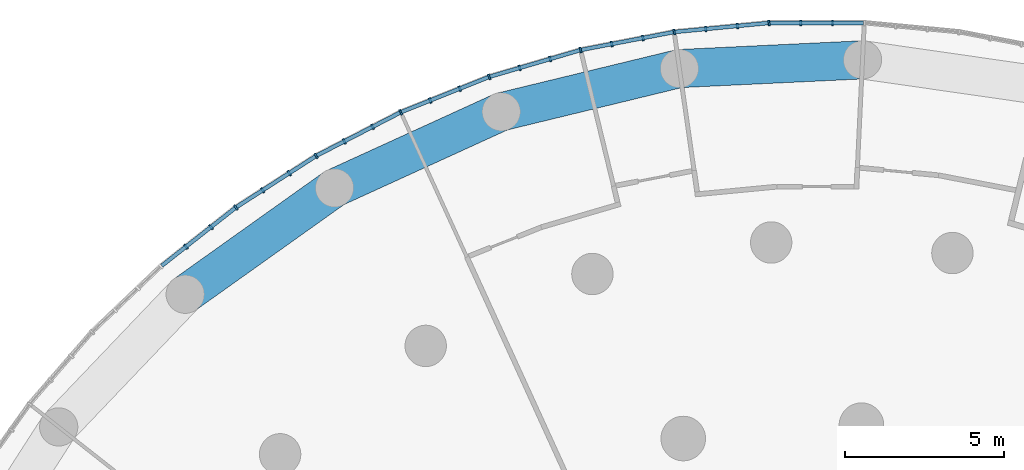
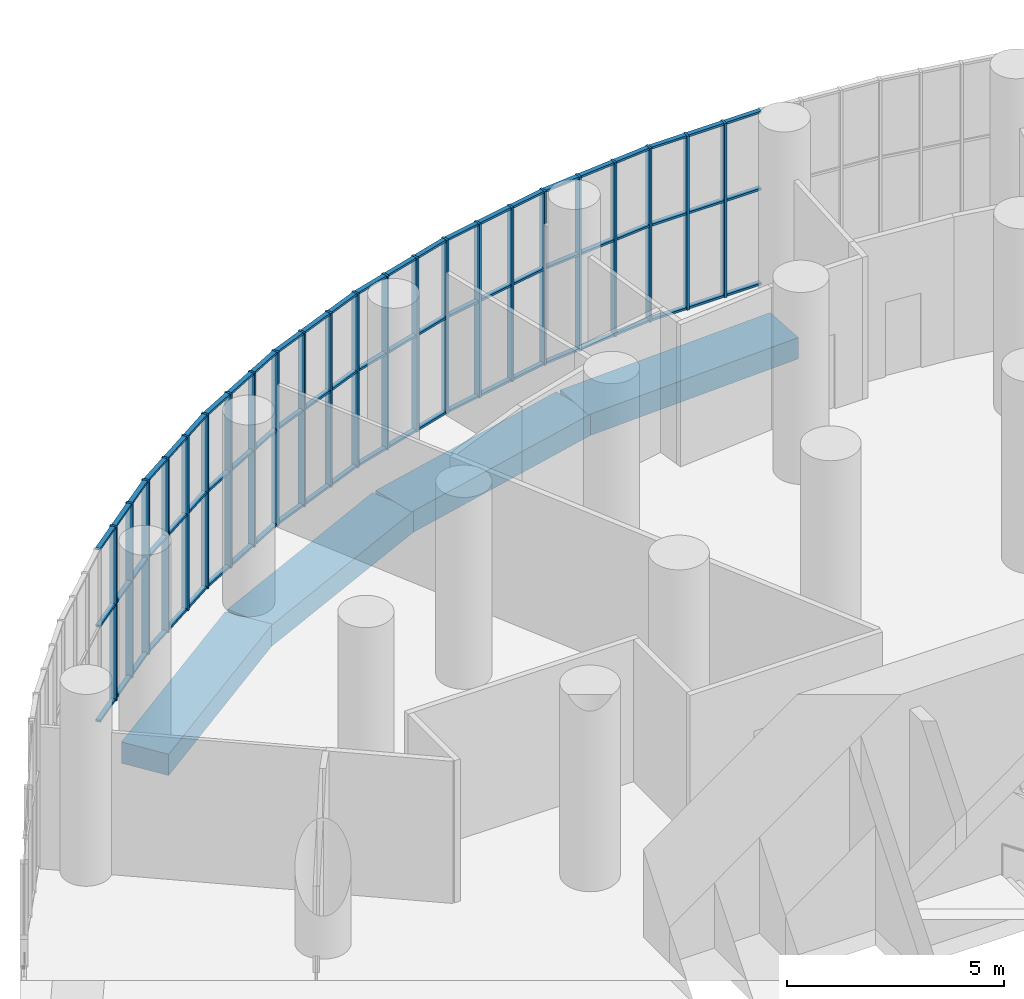
# One storey, part 8 of 27: 47 members, 4 beams, 8 elements without a shape of their own.
"""IFC4 building model written with IfcOpenShell, lengths in metres."""

from ifc_helpers import new_model, si_unit, direction, frame, origin, origin_2d, place, context, subcontext, project, spatial, rectangle, extrude, material, layer, layer_set, material_profile, profile_set, type_object, element, aggregate, save


model = new_model("IFC4")

# Units and contexts
model_context = context("Model", 3, precision=1e-05, world=origin(), true_north=direction((0.0, 1.0)))
body_context = subcontext(model_context, "Body", "Model", "MODEL_VIEW")
ifc_project = project(units=[si_unit("LENGTHUNIT", "METRE"), si_unit("AREAUNIT", "SQUARE_METRE"), si_unit("VOLUMEUNIT", "CUBIC_METRE"), si_unit("PLANEANGLEUNIT", "RADIAN"), si_unit("MASSUNIT", "GRAM", prefix="KILO")], contexts=[model_context])

# Site, building, storey
site_placement = place(None, origin())
site = spatial("IfcSite", under=ifc_project, at=site_placement, CompositionType="ELEMENT")
building_placement = place(site_placement, origin())
building = spatial("IfcBuilding", under=site, at=building_placement, Name="Tracery Tower", CompositionType="ELEMENT")
storey_placement = place(building_placement, frame((0.0, 0.0, 114.60009765625)))
storey = spatial("IfcBuildingStorey", under=building, at=storey_placement, Name="L29", CompositionType="ELEMENT", Elevation=114.60009765625)

# Beams
ifc_material_1 = material(Name="Concrete C60/75", Category="concrete")
ifc_material_profile_1 = material_profile(ifc_material_1, rectangle(XDim=1.199951171875, YDim=0.60009765625, at=origin_2d()), Name="RC 1200x600")
ifc_profile_set_1 = profile_set([ifc_material_profile_1], Name="Concrete C60/75")
beam_type = type_object("IfcBeamType", Name="Perimeter band beam 1200x600", PredefinedType="BEAM", material=ifc_profile_set_1)
beam_1_placement = place(storey_placement, frame((1.4404296875, 30.240234375, -0.75), z_axis=(-0.998866793759, -0.047593364303, 0.0), x_axis=(0.047593364303, -0.998866793759, 0.0)))
element("IfcBeam", 1, at=beam_1_placement, inside=storey, type_object=beam_type, Name="Perimeter beam 0.08 under L29", PredefinedType="BEAM", context=body_context, shape_type="SweptSolid", body=[
    extrude(rectangle(XDim=1.199951171875, YDim=0.60009765625, at=origin_2d()), origin(), (0.0, 0.0, 1.0), 5.755615234375),
])
beam_2_placement = place(storey_placement, frame((-4.30859375, 29.96630859375, -0.75), z_axis=(-0.971820371509, -0.235722645328, 0.0), x_axis=(0.235722645328, -0.971820371509, 0.0)))
element("IfcBeam", 2, at=beam_2_placement, inside=storey, type_object=beam_type, Name="Perimeter beam 0.09 under L29", PredefinedType="BEAM", context=body_context, shape_type="SweptSolid", body=[
    extrude(rectangle(XDim=1.199951171875, YDim=0.60009765625, at=origin_2d()), origin(), (0.0, 0.0, 1.0), 5.75537109375),
])
for number, where, z_axis, x_axis, name in (
    (3, (-9.90185546875, 28.609619140625, -0.75), (-0.909618316865, -0.415444963411, 0.0), (0.415444963411, -0.909618316865, 0.0), "Perimeter beam 0.10 under L29"),
    (4, (-15.13720703125, 26.218505859375, -0.75), (-0.8145780864, -0.580053912285, 0.0), (0.580053912285, -0.8145780864, 0.0), "Perimeter beam 0.11 under L29"),
):
    element("IfcBeam", number, at=place(storey_placement, frame(where, z_axis=z_axis, x_axis=x_axis)), inside=storey, type_object=beam_type, Name=name, PredefinedType="BEAM", context=body_context, shape_type="SweptSolid", body=[
        extrude(rectangle(XDim=1.199951171875, YDim=0.60009765625, at=origin_2d()), origin(), (0.0, 0.0, 1.0), 5.755615234375),
    ])

# Curtain wall, members
ifc_material_2 = material(Name="Aluminium curtain wall with tinted glass", Category="aluminium")
ifc_layer = layer(ifc_material_2, 0.179931640625)
ifc_layer_set = layer_set([ifc_layer], Name="Sky lounge 1 tracery curtain wall")
curtain_wall_type = type_object("IfcCurtainWallType", Name="Sky lounge 1 tracery curtain wall", PredefinedType="NOTDEFINED", material=ifc_layer_set)
curtain_wall_1_placement = place(storey_placement, origin())
curtain_wall_1 = element("IfcCurtainWall", 5, at=curtain_wall_1_placement, inside=storey, type_object=curtain_wall_type, Name="Sky lounge 1 curtain wall run 17", PredefinedType="NOTDEFINED")
ifc_material_3 = material(Name="Aluminium, bronze anodised", Category="aluminium")
ifc_material_profile_2 = material_profile(ifc_material_3, rectangle(XDim=0.179931640625, YDim=0.06005859375, at=origin_2d()), Name="AL 60x180")
ifc_profile_set_2 = profile_set([ifc_material_profile_2], Name="Aluminium, bronze anodised")
member_type_1 = type_object("IfcMemberType", Name="Sky lounge 1 mullion 60 x 180", PredefinedType="MULLION", material=ifc_profile_set_2)
member_1_placement = place(storey_placement, frame((0.49853515625, 31.39892578125, 0.0), z_axis=(0.0, 0.0, 1.0), x_axis=(0.0, -1.0, 0.0)))
member_1 = element("IfcMember", 6, at=member_1_placement, type_object=member_type_1, Name="Sky lounge 1 curtain wall run 17 mullion 2", PredefinedType="MULLION", context=body_context, shape_type="SweptSolid", body=[
    extrude(rectangle(XDim=0.179931640625, YDim=0.06005859375, at=origin_2d()), origin(), (0.0, 0.0, 1.0), 4.89990234375),
])
member_2_placement = place(storey_placement, frame((-0.49853515625, 31.39892578125, 0.0), z_axis=(0.0, 0.0, 1.0), x_axis=(0.0, -1.0, 0.0)))
member_2 = element("IfcMember", 7, at=member_2_placement, type_object=member_type_1, Name="Sky lounge 1 curtain wall run 17 mullion 3", PredefinedType="MULLION", context=body_context, shape_type="SweptSolid", body=[
    extrude(rectangle(XDim=0.179931640625, YDim=0.06005859375, at=origin_2d()), origin(), (0.0, 0.0, 1.0), 4.89990234375),
])

curtain_wall_2_placement = place(storey_placement, origin())
curtain_wall_2 = element("IfcCurtainWall", 8, at=curtain_wall_2_placement, inside=storey, type_object=curtain_wall_type, Name="Sky lounge 1 curtain wall run 18", PredefinedType="NOTDEFINED")
member_3_placement = place(storey_placement, frame((-1.49560546875, 31.39892578125, 0.0), z_axis=(0.0, 0.0, 1.0), x_axis=(0.095056043312, -0.995471922572, 0.0)))
member_3 = element("IfcMember", 9, at=member_3_placement, type_object=member_type_1, Name="Sky lounge 1 curtain wall run 18 mullion 1", PredefinedType="MULLION", context=body_context, shape_type="SweptSolid", body=[
    extrude(rectangle(XDim=0.179931640625, YDim=0.06005859375, at=origin_2d()), origin(), (0.0, 0.0, 1.0), 4.89990234375),
])
member_4_placement = place(storey_placement, frame((-2.48828125, 31.30419921875, 0.0), z_axis=(0.0, 0.0, 1.0), x_axis=(0.095056043312, -0.995471922572, 0.0)))
member_4 = element("IfcMember", 10, at=member_4_placement, type_object=member_type_1, Name="Sky lounge 1 curtain wall run 18 mullion 2", PredefinedType="MULLION", context=body_context, shape_type="SweptSolid", body=[
    extrude(rectangle(XDim=0.179931640625, YDim=0.06005859375, at=origin_2d()), origin(), (0.0, 0.0, 1.0), 4.89990234375),
])
member_5_placement = place(storey_placement, frame((-3.48095703125, 31.209228515625, 0.0), z_axis=(0.0, 0.0, 1.0), x_axis=(0.095056043312, -0.995471922572, 0.0)))
member_5 = element("IfcMember", 11, at=member_5_placement, type_object=member_type_1, Name="Sky lounge 1 curtain wall run 18 mullion 3", PredefinedType="MULLION", context=body_context, shape_type="SweptSolid", body=[
    extrude(rectangle(XDim=0.179931640625, YDim=0.06005859375, at=origin_2d()), origin(), (0.0, 0.0, 1.0), 4.89990234375),
])

curtain_wall_3_placement = place(storey_placement, origin())
curtain_wall_3 = element("IfcCurtainWall", 12, at=curtain_wall_3_placement, inside=storey, type_object=curtain_wall_type, Name="Sky lounge 1 curtain wall run 19", PredefinedType="NOTDEFINED")
member_6_placement = place(storey_placement, frame((-4.4736328125, 31.114501953125, 0.0), z_axis=(0.0, 0.0, 1.0), x_axis=(0.189251244359, -0.981928697263, 0.0)))
member_6 = element("IfcMember", 13, at=member_6_placement, type_object=member_type_1, Name="Sky lounge 1 curtain wall run 19 mullion 1", PredefinedType="MULLION", context=body_context, shape_type="SweptSolid", body=[
    extrude(rectangle(XDim=0.179931640625, YDim=0.06005859375, at=origin_2d()), origin(), (0.0, 0.0, 1.0), 4.89990234375),
])
member_7_placement = place(storey_placement, frame((-5.45263671875, 30.92578125, 0.0), z_axis=(0.0, 0.0, 1.0), x_axis=(0.189251244359, -0.981928697263, 0.0)))
member_7 = element("IfcMember", 14, at=member_7_placement, type_object=member_type_1, Name="Sky lounge 1 curtain wall run 19 mullion 2", PredefinedType="MULLION", context=body_context, shape_type="SweptSolid", body=[
    extrude(rectangle(XDim=0.179931640625, YDim=0.06005859375, at=origin_2d()), origin(), (0.0, 0.0, 1.0), 4.89990234375),
])
member_8_placement = place(storey_placement, frame((-6.431884765625, 30.737060546875, 0.0), z_axis=(0.0, 0.0, 1.0), x_axis=(0.189251244359, -0.981928697263, 0.0)))
member_8 = element("IfcMember", 15, at=member_8_placement, type_object=member_type_1, Name="Sky lounge 1 curtain wall run 19 mullion 3", PredefinedType="MULLION", context=body_context, shape_type="SweptSolid", body=[
    extrude(rectangle(XDim=0.179931640625, YDim=0.06005859375, at=origin_2d()), origin(), (0.0, 0.0, 1.0), 4.89990234375),
])

curtain_wall_4_placement = place(storey_placement, origin())
curtain_wall_4 = element("IfcCurtainWall", 16, at=curtain_wall_4_placement, inside=storey, type_object=curtain_wall_type, Name="Sky lounge 1 curtain wall run 20", PredefinedType="NOTDEFINED")
member_9_placement = place(storey_placement, frame((-7.410888671875, 30.54833984375, 0.0), z_axis=(0.0, 0.0, 1.0), x_axis=(0.281732556848, -0.959492973613, 0.0)))
member_9 = element("IfcMember", 17, at=member_9_placement, type_object=member_type_1, Name="Sky lounge 1 curtain wall run 20 mullion 1", PredefinedType="MULLION", context=body_context, shape_type="SweptSolid", body=[
    extrude(rectangle(XDim=0.179931640625, YDim=0.06005859375, at=origin_2d()), origin(), (0.0, 0.0, 1.0), 4.89990234375),
])
member_10_placement = place(storey_placement, frame((-8.36767578125, 30.267578125, 0.0), z_axis=(0.0, 0.0, 1.0), x_axis=(0.281732556848, -0.959492973613, 0.0)))
member_10 = element("IfcMember", 18, at=member_10_placement, type_object=member_type_1, Name="Sky lounge 1 curtain wall run 20 mullion 2", PredefinedType="MULLION", context=body_context, shape_type="SweptSolid", body=[
    extrude(rectangle(XDim=0.179931640625, YDim=0.06005859375, at=origin_2d()), origin(), (0.0, 0.0, 1.0), 4.89990234375),
])
member_11_placement = place(storey_placement, frame((-9.324462890625, 29.986572265625, 0.0), z_axis=(0.0, 0.0, 1.0), x_axis=(0.281732556848, -0.959492973613, 0.0)))
member_11 = element("IfcMember", 19, at=member_11_placement, type_object=member_type_1, Name="Sky lounge 1 curtain wall run 20 mullion 3", PredefinedType="MULLION", context=body_context, shape_type="SweptSolid", body=[
    extrude(rectangle(XDim=0.179931640625, YDim=0.06005859375, at=origin_2d()), origin(), (0.0, 0.0, 1.0), 4.89990234375),
])

curtain_wall_5_placement = place(storey_placement, origin())
curtain_wall_5 = element("IfcCurtainWall", 20, at=curtain_wall_5_placement, inside=storey, type_object=curtain_wall_type, Name="Sky lounge 1 curtain wall run 21", PredefinedType="NOTDEFINED")
member_12_placement = place(storey_placement, frame((-10.28125, 29.70556640625, 0.0), z_axis=(0.0, 0.0, 1.0), x_axis=(0.371662455657, -0.928367933017, 0.0)))
member_12 = element("IfcMember", 21, at=member_12_placement, type_object=member_type_1, Name="Sky lounge 1 curtain wall run 21 mullion 1", PredefinedType="MULLION", context=body_context, shape_type="SweptSolid", body=[
    extrude(rectangle(XDim=0.179931640625, YDim=0.06005859375, at=origin_2d()), origin(), (0.0, 0.0, 1.0), 4.89990234375),
])
member_13_placement = place(storey_placement, frame((-11.20703125, 29.3349609375, 0.0), z_axis=(0.0, 0.0, 1.0), x_axis=(0.371662455657, -0.928367933017, 0.0)))
member_13 = element("IfcMember", 22, at=member_13_placement, type_object=member_type_1, Name="Sky lounge 1 curtain wall run 21 mullion 2", PredefinedType="MULLION", context=body_context, shape_type="SweptSolid", body=[
    extrude(rectangle(XDim=0.179931640625, YDim=0.06005859375, at=origin_2d()), origin(), (0.0, 0.0, 1.0), 4.89990234375),
])
member_14_placement = place(storey_placement, frame((-12.132568359375, 28.96435546875, 0.0), z_axis=(0.0, 0.0, 1.0), x_axis=(0.371662455657, -0.928367933017, 0.0)))
member_14 = element("IfcMember", 23, at=member_14_placement, type_object=member_type_1, Name="Sky lounge 1 curtain wall run 21 mullion 3", PredefinedType="MULLION", context=body_context, shape_type="SweptSolid", body=[
    extrude(rectangle(XDim=0.179931640625, YDim=0.06005859375, at=origin_2d()), origin(), (0.0, 0.0, 1.0), 4.89990234375),
])

curtain_wall_6_placement = place(storey_placement, origin())
curtain_wall_6 = element("IfcCurtainWall", 24, at=curtain_wall_6_placement, inside=storey, type_object=curtain_wall_type, Name="Sky lounge 1 curtain wall run 22", PredefinedType="NOTDEFINED")
member_15_placement = place(storey_placement, frame((-13.058349609375, 28.59375, 0.0), z_axis=(0.0, 0.0, 1.0), x_axis=(0.458226521732, -0.888835448653, 0.0)))
member_15 = element("IfcMember", 25, at=member_15_placement, type_object=member_type_1, Name="Sky lounge 1 curtain wall run 22 mullion 1", PredefinedType="MULLION", context=body_context, shape_type="SweptSolid", body=[
    extrude(rectangle(XDim=0.179931640625, YDim=0.06005859375, at=origin_2d()), origin(), (0.0, 0.0, 1.0), 4.89990234375),
])
member_16_placement = place(storey_placement, frame((-13.944580078125, 28.136962890625, 0.0), z_axis=(0.0, 0.0, 1.0), x_axis=(0.458226521732, -0.888835448653, 0.0)))
member_16 = element("IfcMember", 26, at=member_16_placement, type_object=member_type_1, Name="Sky lounge 1 curtain wall run 22 mullion 2", PredefinedType="MULLION", context=body_context, shape_type="SweptSolid", body=[
    extrude(rectangle(XDim=0.179931640625, YDim=0.06005859375, at=origin_2d()), origin(), (0.0, 0.0, 1.0), 4.89990234375),
])
member_17_placement = place(storey_placement, frame((-14.8310546875, 27.679931640625, 0.0), z_axis=(0.0, 0.0, 1.0), x_axis=(0.458226521732, -0.888835448653, 0.0)))
member_17 = element("IfcMember", 27, at=member_17_placement, type_object=member_type_1, Name="Sky lounge 1 curtain wall run 22 mullion 3", PredefinedType="MULLION", context=body_context, shape_type="SweptSolid", body=[
    extrude(rectangle(XDim=0.179931640625, YDim=0.06005859375, at=origin_2d()), origin(), (0.0, 0.0, 1.0), 4.89990234375),
])

curtain_wall_7_placement = place(storey_placement, origin())
curtain_wall_7 = element("IfcCurtainWall", 28, at=curtain_wall_7_placement, inside=storey, type_object=curtain_wall_type, Name="Sky lounge 1 curtain wall run 23", PredefinedType="NOTDEFINED")
member_18_placement = place(storey_placement, frame((-15.71728515625, 27.22314453125, 0.0), z_axis=(0.0, 0.0, 1.0), x_axis=(0.540640817452, -0.841253532834, 0.0)))
member_18 = element("IfcMember", 29, at=member_18_placement, type_object=member_type_1, Name="Sky lounge 1 curtain wall run 23 mullion 1", PredefinedType="MULLION", context=body_context, shape_type="SweptSolid", body=[
    extrude(rectangle(XDim=0.179931640625, YDim=0.06005859375, at=origin_2d()), origin(), (0.0, 0.0, 1.0), 4.89990234375),
])
member_19_placement = place(storey_placement, frame((-16.55615234375, 26.68408203125, 0.0), z_axis=(0.0, 0.0, 1.0), x_axis=(0.540640817452, -0.841253532834, 0.0)))
member_19 = element("IfcMember", 30, at=member_19_placement, type_object=member_type_1, Name="Sky lounge 1 curtain wall run 23 mullion 2", PredefinedType="MULLION", context=body_context, shape_type="SweptSolid", body=[
    extrude(rectangle(XDim=0.179931640625, YDim=0.06005859375, at=origin_2d()), origin(), (0.0, 0.0, 1.0), 4.89990234375),
])
member_20_placement = place(storey_placement, frame((-17.39501953125, 26.144775390625, 0.0), z_axis=(0.0, 0.0, 1.0), x_axis=(0.540640817452, -0.841253532834, 0.0)))
member_20 = element("IfcMember", 31, at=member_20_placement, type_object=member_type_1, Name="Sky lounge 1 curtain wall run 23 mullion 3", PredefinedType="MULLION", context=body_context, shape_type="SweptSolid", body=[
    extrude(rectangle(XDim=0.179931640625, YDim=0.06005859375, at=origin_2d()), origin(), (0.0, 0.0, 1.0), 4.89990234375),
])

curtain_wall_8_placement = place(storey_placement, origin())
curtain_wall_8 = element("IfcCurtainWall", 32, at=curtain_wall_8_placement, inside=storey, type_object=curtain_wall_type, Name="Sky lounge 1 curtain wall run 24", PredefinedType="NOTDEFINED")
member_21_placement = place(storey_placement, frame((-18.23388671875, 25.605712890625, 0.0), z_axis=(0.0, 0.0, 1.0), x_axis=(0.618158986223, -0.786053094741, 0.0)))
member_21 = element("IfcMember", 33, at=member_21_placement, type_object=member_type_1, Name="Sky lounge 1 curtain wall run 24 mullion 1", PredefinedType="MULLION", context=body_context, shape_type="SweptSolid", body=[
    extrude(rectangle(XDim=0.179931640625, YDim=0.06005859375, at=origin_2d()), origin(), (0.0, 0.0, 1.0), 4.89990234375),
])
member_22_placement = place(storey_placement, frame((-19.017578125, 24.989501953125, 0.0), z_axis=(0.0, 0.0, 1.0), x_axis=(0.618158986223, -0.786053094741, 0.0)))
member_22 = element("IfcMember", 34, at=member_22_placement, type_object=member_type_1, Name="Sky lounge 1 curtain wall run 24 mullion 2", PredefinedType="MULLION", context=body_context, shape_type="SweptSolid", body=[
    extrude(rectangle(XDim=0.179931640625, YDim=0.06005859375, at=origin_2d()), origin(), (0.0, 0.0, 1.0), 4.89990234375),
])
member_23_placement = place(storey_placement, frame((-19.801513671875, 24.373046875, 0.0), z_axis=(0.0, 0.0, 1.0), x_axis=(0.618158986223, -0.786053094741, 0.0)))
member_23 = element("IfcMember", 35, at=member_23_placement, type_object=member_type_1, Name="Sky lounge 1 curtain wall run 24 mullion 3", PredefinedType="MULLION", context=body_context, shape_type="SweptSolid", body=[
    extrude(rectangle(XDim=0.179931640625, YDim=0.06005859375, at=origin_2d()), origin(), (0.0, 0.0, 1.0), 4.89990234375),
])

# Member
ifc_material_4 = material(Name="Aluminium, bronze anodised", Category="aluminium")
ifc_material_profile_3 = material_profile(ifc_material_4, rectangle(XDim=0.1201171875, YDim=0.06005859375, at=origin_2d()), Name="AL 60x120")
ifc_profile_set_3 = profile_set([ifc_material_profile_3], Name="Aluminium, bronze anodised")
member_type_2 = type_object("IfcMemberType", Name="Sky lounge 1 transom 60 x 120", PredefinedType="USERDEFINED", material=ifc_profile_set_3)
member_24_placement = place(storey_placement, frame((1.4658203125, 31.39892578125, 0.02978515625), z_axis=(-1.0, 0.0, 0.0), x_axis=(0.0, -1.0, 0.0)))
member_24 = element("IfcMember", 36, at=member_24_placement, type_object=member_type_2, Name="Sky lounge 1 curtain wall run 17 transom 1", ObjectType="TRANSOM", PredefinedType="USERDEFINED", context=body_context, shape_type="SweptSolid", body=[
    extrude(rectangle(XDim=0.1201171875, YDim=0.06005859375, at=origin_2d()), origin(), (0.0, 0.0, 1.0), 2.931640625),
])

member_25_placement = place(storey_placement, frame((1.4658203125, 31.39892578125, 2.699951171875), z_axis=(-1.0, 0.0, 0.0), x_axis=(0.0, -1.0, 0.0)))
member_25 = element("IfcMember", 37, at=member_25_placement, type_object=member_type_2, Name="Sky lounge 1 curtain wall run 17 transom 2", ObjectType="TRANSOM", PredefinedType="USERDEFINED", context=body_context, shape_type="SweptSolid", body=[
    extrude(rectangle(XDim=0.1201171875, YDim=0.06005859375, at=origin_2d()), origin(), (0.0, 0.0, 1.0), 2.931640625),
])

member_26_placement = place(storey_placement, frame((1.4658203125, 31.39892578125, 4.869873046875), z_axis=(-1.0, 0.0, 0.0), x_axis=(0.0, -1.0, 0.0)))
member_26 = element("IfcMember", 38, at=member_26_placement, type_object=member_type_2, Name="Sky lounge 1 curtain wall run 17 transom 3", ObjectType="TRANSOM", PredefinedType="USERDEFINED", context=body_context, shape_type="SweptSolid", body=[
    extrude(rectangle(XDim=0.1201171875, YDim=0.06005859375, at=origin_2d()), origin(), (0.0, 0.0, 1.0), 2.931640625),
])

aggregate(curtain_wall_1, [member_1, member_2, member_24, member_25, member_26])

member_27_placement = place(storey_placement, frame((-1.525634765625, 31.39599609375, 0.02978515625), z_axis=(-0.995474862458, -0.095025250403, 0.0), x_axis=(0.095025250403, -0.995474862458, 0.0)))
member_27 = element("IfcMember", 39, at=member_27_placement, type_object=member_type_2, Name="Sky lounge 1 curtain wall run 18 transom 1", ObjectType="TRANSOM", PredefinedType="USERDEFINED", context=body_context, shape_type="SweptSolid", body=[
    extrude(rectangle(XDim=0.1201171875, YDim=0.06005859375, at=origin_2d()), origin(), (0.0, 0.0, 1.0), 2.931396484375),
])

member_28_placement = place(storey_placement, frame((-1.525634765625, 31.39599609375, 2.699951171875), z_axis=(-0.995474862458, -0.095025250403, 0.0), x_axis=(0.095025250403, -0.995474862458, 0.0)))
member_28 = element("IfcMember", 40, at=member_28_placement, type_object=member_type_2, Name="Sky lounge 1 curtain wall run 18 transom 2", ObjectType="TRANSOM", PredefinedType="USERDEFINED", context=body_context, shape_type="SweptSolid", body=[
    extrude(rectangle(XDim=0.1201171875, YDim=0.06005859375, at=origin_2d()), origin(), (0.0, 0.0, 1.0), 2.931396484375),
])

member_29_placement = place(storey_placement, frame((-1.525634765625, 31.39599609375, 4.869873046875), z_axis=(-0.995474862458, -0.095025250403, 0.0), x_axis=(0.095025250403, -0.995474862458, 0.0)))
member_29 = element("IfcMember", 41, at=member_29_placement, type_object=member_type_2, Name="Sky lounge 1 curtain wall run 18 transom 3", ObjectType="TRANSOM", PredefinedType="USERDEFINED", context=body_context, shape_type="SweptSolid", body=[
    extrude(rectangle(XDim=0.1201171875, YDim=0.06005859375, at=origin_2d()), origin(), (0.0, 0.0, 1.0), 2.931396484375),
])

aggregate(curtain_wall_2, [member_3, member_4, member_5, member_27, member_28, member_29])

member_30_placement = place(storey_placement, frame((-4.503173828125, 31.10888671875, 0.02978515625), z_axis=(-0.981933900995, -0.189224242838, 0.0), x_axis=(0.189224242838, -0.981933900995, 0.0)))
member_30 = element("IfcMember", 42, at=member_30_placement, type_object=member_type_2, Name="Sky lounge 1 curtain wall run 19 transom 1", ObjectType="TRANSOM", PredefinedType="USERDEFINED", context=body_context, shape_type="SweptSolid", body=[
    extrude(rectangle(XDim=0.1201171875, YDim=0.06005859375, at=origin_2d()), origin(), (0.0, 0.0, 1.0), 2.931396484375),
])

member_31_placement = place(storey_placement, frame((-4.503173828125, 31.10888671875, 2.699951171875), z_axis=(-0.981933900995, -0.189224242838, 0.0), x_axis=(0.189224242838, -0.981933900995, 0.0)))
member_31 = element("IfcMember", 43, at=member_31_placement, type_object=member_type_2, Name="Sky lounge 1 curtain wall run 19 transom 2", ObjectType="TRANSOM", PredefinedType="USERDEFINED", context=body_context, shape_type="SweptSolid", body=[
    extrude(rectangle(XDim=0.1201171875, YDim=0.06005859375, at=origin_2d()), origin(), (0.0, 0.0, 1.0), 2.931396484375),
])

member_32_placement = place(storey_placement, frame((-4.503173828125, 31.10888671875, 4.869873046875), z_axis=(-0.981933900995, -0.189224242838, 0.0), x_axis=(0.189224242838, -0.981933900995, 0.0)))
member_32 = element("IfcMember", 44, at=member_32_placement, type_object=member_type_2, Name="Sky lounge 1 curtain wall run 19 transom 3", ObjectType="TRANSOM", PredefinedType="USERDEFINED", context=body_context, shape_type="SweptSolid", body=[
    extrude(rectangle(XDim=0.1201171875, YDim=0.06005859375, at=origin_2d()), origin(), (0.0, 0.0, 1.0), 2.931396484375),
])

aggregate(curtain_wall_3, [member_6, member_7, member_8, member_30, member_31, member_32])

member_33_placement = place(storey_placement, frame((-7.439697265625, 30.5400390625, 0.02978515625), z_axis=(-0.959490065478, -0.281742460855, 0.0), x_axis=(0.281742460855, -0.959490065478, 0.0)))
member_33 = element("IfcMember", 45, at=member_33_placement, type_object=member_type_2, Name="Sky lounge 1 curtain wall run 20 transom 1", ObjectType="TRANSOM", PredefinedType="USERDEFINED", context=body_context, shape_type="SweptSolid", body=[
    extrude(rectangle(XDim=0.1201171875, YDim=0.06005859375, at=origin_2d()), origin(), (0.0, 0.0, 1.0), 2.931396484375),
])

member_34_placement = place(storey_placement, frame((-7.439697265625, 30.5400390625, 2.699951171875), z_axis=(-0.959490065478, -0.281742460855, 0.0), x_axis=(0.281742460855, -0.959490065478, 0.0)))
member_34 = element("IfcMember", 46, at=member_34_placement, type_object=member_type_2, Name="Sky lounge 1 curtain wall run 20 transom 2", ObjectType="TRANSOM", PredefinedType="USERDEFINED", context=body_context, shape_type="SweptSolid", body=[
    extrude(rectangle(XDim=0.1201171875, YDim=0.06005859375, at=origin_2d()), origin(), (0.0, 0.0, 1.0), 2.931396484375),
])

member_35_placement = place(storey_placement, frame((-7.439697265625, 30.5400390625, 4.869873046875), z_axis=(-0.959490065478, -0.281742460855, 0.0), x_axis=(0.281742460855, -0.959490065478, 0.0)))
member_35 = element("IfcMember", 47, at=member_35_placement, type_object=member_type_2, Name="Sky lounge 1 curtain wall run 20 transom 3", ObjectType="TRANSOM", PredefinedType="USERDEFINED", context=body_context, shape_type="SweptSolid", body=[
    extrude(rectangle(XDim=0.1201171875, YDim=0.06005859375, at=origin_2d()), origin(), (0.0, 0.0, 1.0), 2.931396484375),
])

aggregate(curtain_wall_4, [member_9, member_10, member_11, member_33, member_34, member_35])

member_36_placement = place(storey_placement, frame((-10.30908203125, 29.694580078125, 0.02978515625), z_axis=(-0.928356025106, -0.371692198802, 0.0), x_axis=(0.371692198802, -0.928356025106, 0.0)))
member_36 = element("IfcMember", 48, at=member_36_placement, type_object=member_type_2, Name="Sky lounge 1 curtain wall run 21 transom 1", ObjectType="TRANSOM", PredefinedType="USERDEFINED", context=body_context, shape_type="SweptSolid", body=[
    extrude(rectangle(XDim=0.1201171875, YDim=0.06005859375, at=origin_2d()), origin(), (0.0, 0.0, 1.0), 2.931396484375),
])

member_37_placement = place(storey_placement, frame((-10.30908203125, 29.694580078125, 2.699951171875), z_axis=(-0.928356025106, -0.371692198802, 0.0), x_axis=(0.371692198802, -0.928356025106, 0.0)))
member_37 = element("IfcMember", 49, at=member_37_placement, type_object=member_type_2, Name="Sky lounge 1 curtain wall run 21 transom 2", ObjectType="TRANSOM", PredefinedType="USERDEFINED", context=body_context, shape_type="SweptSolid", body=[
    extrude(rectangle(XDim=0.1201171875, YDim=0.06005859375, at=origin_2d()), origin(), (0.0, 0.0, 1.0), 2.931396484375),
])

member_38_placement = place(storey_placement, frame((-10.30908203125, 29.694580078125, 4.869873046875), z_axis=(-0.928356025106, -0.371692198802, 0.0), x_axis=(0.371692198802, -0.928356025106, 0.0)))
member_38 = element("IfcMember", 50, at=member_38_placement, type_object=member_type_2, Name="Sky lounge 1 curtain wall run 21 transom 3", ObjectType="TRANSOM", PredefinedType="USERDEFINED", context=body_context, shape_type="SweptSolid", body=[
    extrude(rectangle(XDim=0.1201171875, YDim=0.06005859375, at=origin_2d()), origin(), (0.0, 0.0, 1.0), 2.931396484375),
])

aggregate(curtain_wall_5, [member_12, member_13, member_14, member_36, member_37, member_38])

member_39_placement = place(storey_placement, frame((-13.0849609375, 28.580078125, 0.02978515625), z_axis=(-0.888846096412, -0.458205867372, 0.0), x_axis=(0.458205867372, -0.888846096412, 0.0)))
member_39 = element("IfcMember", 51, at=member_39_placement, type_object=member_type_2, Name="Sky lounge 1 curtain wall run 22 transom 1", ObjectType="TRANSOM", PredefinedType="USERDEFINED", context=body_context, shape_type="SweptSolid", body=[
    extrude(rectangle(XDim=0.1201171875, YDim=0.06005859375, at=origin_2d()), origin(), (0.0, 0.0, 1.0), 2.931640625),
])

member_40_placement = place(storey_placement, frame((-13.0849609375, 28.580078125, 2.699951171875), z_axis=(-0.888846096412, -0.458205867372, 0.0), x_axis=(0.458205867372, -0.888846096412, 0.0)))
member_40 = element("IfcMember", 52, at=member_40_placement, type_object=member_type_2, Name="Sky lounge 1 curtain wall run 22 transom 2", ObjectType="TRANSOM", PredefinedType="USERDEFINED", context=body_context, shape_type="SweptSolid", body=[
    extrude(rectangle(XDim=0.1201171875, YDim=0.06005859375, at=origin_2d()), origin(), (0.0, 0.0, 1.0), 2.931640625),
])

member_41_placement = place(storey_placement, frame((-13.0849609375, 28.580078125, 4.869873046875), z_axis=(-0.888846096412, -0.458205867372, 0.0), x_axis=(0.458205867372, -0.888846096412, 0.0)))
member_41 = element("IfcMember", 53, at=member_41_placement, type_object=member_type_2, Name="Sky lounge 1 curtain wall run 22 transom 3", ObjectType="TRANSOM", PredefinedType="USERDEFINED", context=body_context, shape_type="SweptSolid", body=[
    extrude(rectangle(XDim=0.1201171875, YDim=0.06005859375, at=origin_2d()), origin(), (0.0, 0.0, 1.0), 2.931640625),
])

aggregate(curtain_wall_6, [member_15, member_16, member_17, member_39, member_40, member_41])

member_42_placement = place(storey_placement, frame((-15.742431640625, 27.206787109375, 0.02978515625), z_axis=(-0.841273174136, -0.540610253768, 0.0), x_axis=(0.540610253768, -0.841273174136, 0.0)))
member_42 = element("IfcMember", 54, at=member_42_placement, type_object=member_type_2, Name="Sky lounge 1 curtain wall run 23 transom 1", ObjectType="TRANSOM", PredefinedType="USERDEFINED", context=body_context, shape_type="SweptSolid", body=[
    extrude(rectangle(XDim=0.1201171875, YDim=0.06005859375, at=origin_2d()), origin(), (0.0, 0.0, 1.0), 2.931396484375),
])

member_43_placement = place(storey_placement, frame((-15.742431640625, 27.206787109375, 2.699951171875), z_axis=(-0.841273174136, -0.540610253768, 0.0), x_axis=(0.540610253768, -0.841273174136, 0.0)))
member_43 = element("IfcMember", 55, at=member_43_placement, type_object=member_type_2, Name="Sky lounge 1 curtain wall run 23 transom 2", ObjectType="TRANSOM", PredefinedType="USERDEFINED", context=body_context, shape_type="SweptSolid", body=[
    extrude(rectangle(XDim=0.1201171875, YDim=0.06005859375, at=origin_2d()), origin(), (0.0, 0.0, 1.0), 2.931396484375),
])

member_44_placement = place(storey_placement, frame((-15.742431640625, 27.206787109375, 4.869873046875), z_axis=(-0.841273174136, -0.540610253768, 0.0), x_axis=(0.540610253768, -0.841273174136, 0.0)))
member_44 = element("IfcMember", 56, at=member_44_placement, type_object=member_type_2, Name="Sky lounge 1 curtain wall run 23 transom 3", ObjectType="TRANSOM", PredefinedType="USERDEFINED", context=body_context, shape_type="SweptSolid", body=[
    extrude(rectangle(XDim=0.1201171875, YDim=0.06005859375, at=origin_2d()), origin(), (0.0, 0.0, 1.0), 2.931396484375),
])

aggregate(curtain_wall_7, [member_18, member_19, member_20, member_42, member_43, member_44])

member_45_placement = place(storey_placement, frame((-18.25732421875, 25.587158203125, 0.02978515625), z_axis=(-0.786058162974, -0.618152541385, 0.0), x_axis=(0.618152541385, -0.786058162974, 0.0)))
member_45 = element("IfcMember", 57, at=member_45_placement, type_object=member_type_2, Name="Sky lounge 1 curtain wall run 24 transom 1", ObjectType="TRANSOM", PredefinedType="USERDEFINED", context=body_context, shape_type="SweptSolid", body=[
    extrude(rectangle(XDim=0.1201171875, YDim=0.06005859375, at=origin_2d()), origin(), (0.0, 0.0, 1.0), 2.931396484375),
])

member_46_placement = place(storey_placement, frame((-18.25732421875, 25.587158203125, 2.699951171875), z_axis=(-0.786058162974, -0.618152541385, 0.0), x_axis=(0.618152541385, -0.786058162974, 0.0)))
member_46 = element("IfcMember", 58, at=member_46_placement, type_object=member_type_2, Name="Sky lounge 1 curtain wall run 24 transom 2", ObjectType="TRANSOM", PredefinedType="USERDEFINED", context=body_context, shape_type="SweptSolid", body=[
    extrude(rectangle(XDim=0.1201171875, YDim=0.06005859375, at=origin_2d()), origin(), (0.0, 0.0, 1.0), 2.931396484375),
])

member_47_placement = place(storey_placement, frame((-18.25732421875, 25.587158203125, 4.869873046875), z_axis=(-0.786058162974, -0.618152541385, 0.0), x_axis=(0.618152541385, -0.786058162974, 0.0)))
member_47 = element("IfcMember", 59, at=member_47_placement, type_object=member_type_2, Name="Sky lounge 1 curtain wall run 24 transom 3", ObjectType="TRANSOM", PredefinedType="USERDEFINED", context=body_context, shape_type="SweptSolid", body=[
    extrude(rectangle(XDim=0.1201171875, YDim=0.06005859375, at=origin_2d()), origin(), (0.0, 0.0, 1.0), 2.931396484375),
])

aggregate(curtain_wall_8, [member_21, member_22, member_23, member_45, member_46, member_47])

save(model, "model.ifc")
